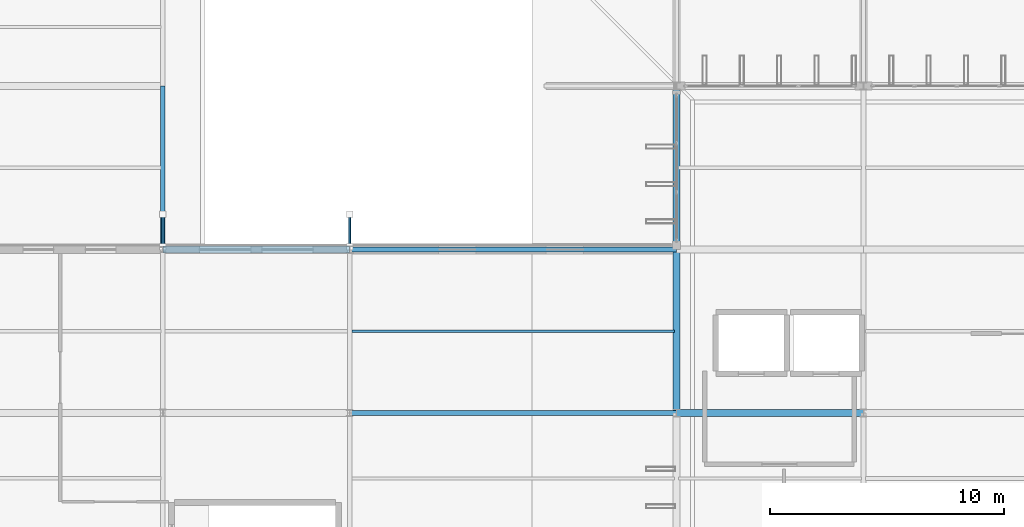
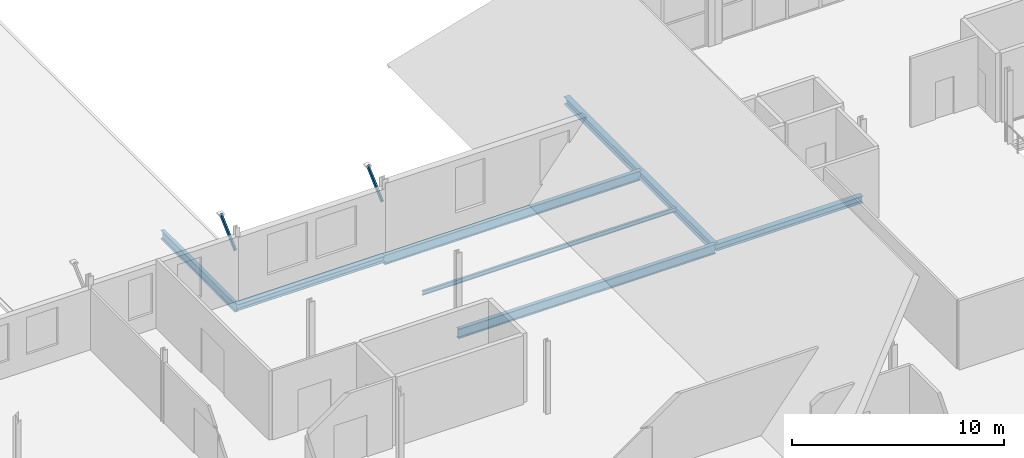
# One storey, part 22 of 93: 7 beams, 2 members.
"""IFC4 building model written with IfcOpenShell, lengths in metres."""

from ifc_helpers import new_model, si_unit, direction, frame, origin, origin_2d, place, context, subcontext, project, spatial, hollow_rectangle, i_section, extrude, material, material_profile, profile_set, type_object, element, save


model = new_model("IFC4")

# Units and contexts
model_context = context("Model", 3, precision=1e-05, world=origin(), true_north=direction((0.0, 1.0)))
body_context = subcontext(model_context, "Body", "Model", "MODEL_VIEW")
ifc_project = project(units=[si_unit("LENGTHUNIT", "METRE"), si_unit("AREAUNIT", "SQUARE_METRE"), si_unit("VOLUMEUNIT", "CUBIC_METRE"), si_unit("PLANEANGLEUNIT", "RADIAN"), si_unit("MASSUNIT", "GRAM", prefix="KILO")], contexts=[model_context])

# Site, building, storey
site_placement = place(None, origin())
site = spatial("IfcSite", under=ifc_project, at=site_placement, CompositionType="ELEMENT")
building_placement = place(site_placement, origin())
building = spatial("IfcBuilding", under=site, at=building_placement, Name="Vekula Escarpment Museum", CompositionType="ELEMENT")
storey_placement = place(building_placement, frame((0.0, 0.0, 22.199951171875)))
storey = spatial("IfcBuildingStorey", under=building, at=storey_placement, Name="L05", CompositionType="ELEMENT", Elevation=22.199951171875)

# Beams
ifc_material_1 = material(Name="Steel S355", Category="steel")
ifc_material_profile_1 = material_profile(ifc_material_1, i_section(OverallWidth=0.300048828125, OverallDepth=0.360107421875, WebThickness=0.012451171875, FlangeThickness=0.0224609375, FilletRadius=0.027099609375, at=origin_2d()), Name="HEB 360")
ifc_profile_set_1 = profile_set([ifc_material_profile_1], Name="Steel S355")
beam_type_1 = type_object("IfcBeamType", Name="BM-GIRD-HEB360", PredefinedType="BEAM", material=ifc_profile_set_1)
beam_1_placement = place(storey_placement, frame((48.0, 83.39990234375, -0.39990234375), z_axis=(1.0, 0.0, 0.0), x_axis=(0.0, 1.0, 0.0)))
element("IfcBeam", 1, at=beam_1_placement, inside=storey, type_object=beam_type_1, Name="Beam X L05 2034", PredefinedType="BEAM", context=body_context, shape_type="SweptSolid", body=[
    extrude(i_section(OverallWidth=0.300048828125, OverallDepth=0.360107421875, WebThickness=0.012451171875, FlangeThickness=0.0224609375, FilletRadius=0.027099609375, at=origin_2d()), origin(), (0.0, 0.0, 1.0), 8.0),
])
ifc_material_2 = material(Name="Steel S355", Category="steel")
ifc_material_profile_2 = material_profile(ifc_material_2, i_section(OverallWidth=0.199951171875, OverallDepth=0.5, WebThickness=0.01025390625, FlangeThickness=0.01611328125, FilletRadius=0.02099609375, at=origin_2d()), Name="IPE 500")
ifc_profile_set_2 = profile_set([ifc_material_profile_2], Name="Steel S355")
beam_type_2 = type_object("IfcBeamType", Name="BM-GIRD-IPE500", PredefinedType="BEAM", material=ifc_profile_set_2)
beam_2_placement = place(storey_placement, frame((48.0, 83.39990234375, -0.469970703125), z_axis=(0.0, 1.0, 0.0), x_axis=(-1.0, 0.0, 0.0)))
element("IfcBeam", 2, at=beam_2_placement, inside=storey, type_object=beam_type_2, Name="Beam Y L05 2108", PredefinedType="BEAM", context=body_context, shape_type="SweptSolid", body=[
    extrude(i_section(OverallWidth=0.199951171875, OverallDepth=0.5, WebThickness=0.01025390625, FlangeThickness=0.01611328125, FilletRadius=0.02099609375, at=origin_2d()), origin(), (0.0, 0.0, 1.0), 7.0),
])
ifc_material_3 = material(Name="Steel S355", Category="steel")
ifc_material_profile_3 = material_profile(ifc_material_3, i_section(OverallWidth=0.2099609375, OverallDepth=0.550048828125, WebThickness=0.010986328125, FlangeThickness=0.01708984375, FilletRadius=0.02392578125, at=origin_2d()), Name="IPE 550")
ifc_profile_set_3 = profile_set([ifc_material_profile_3], Name="Steel S355")
beam_type_3 = type_object("IfcBeamType", Name="BM-GIRD-IPE550", PredefinedType="BEAM", material=ifc_profile_set_3)
for number, where, z_axis, x_axis, name in (
    (3, (56.0, 76.39990234375, -0.494873046875), (1.0, 0.0, 0.0), (0.0, 1.0, 0.0), "Beam X L05 2015"),
    (4, (56.0, 83.39990234375, -0.494873046875), (1.0, 0.0, 0.0), (0.0, 1.0, 0.0), "Beam X L05 2035"),
):
    element("IfcBeam", number, at=place(storey_placement, frame(where, z_axis=z_axis, x_axis=x_axis)), inside=storey, type_object=beam_type_3, Name=name, PredefinedType="BEAM", context=body_context, shape_type="SweptSolid", body=[
        extrude(i_section(OverallWidth=0.2099609375, OverallDepth=0.550048828125, WebThickness=0.010986328125, FlangeThickness=0.01708984375, FilletRadius=0.02392578125, at=origin_2d()), origin(), (0.0, 0.0, 1.0), 14.0),
    ])
ifc_material_4 = material(Name="Steel S355", Category="steel")
ifc_material_profile_4 = material_profile(ifc_material_4, i_section(OverallWidth=0.1201171875, OverallDepth=0.239990234375, WebThickness=0.006103515625, FlangeThickness=0.009765625, FilletRadius=0.014892578125, at=origin_2d()), Name="IPE 240")
ifc_profile_set_4 = profile_set([ifc_material_profile_4], Name="Steel S355")
beam_type_4 = type_object("IfcBeamType", Name="BM-JST-IPE240", PredefinedType="JOIST", material=ifc_profile_set_4)
beam_3_placement = place(storey_placement, frame((56.090087890625, 79.89990234375, -0.33984375), z_axis=(1.0, 0.0, 0.0), x_axis=(0.0, 1.0, 0.0)))
element("IfcBeam", 5, at=beam_3_placement, inside=storey, type_object=beam_type_4, Name="Secondary Joist L05 1339", PredefinedType="JOIST", context=body_context, shape_type="SweptSolid", body=[
    extrude(i_section(OverallWidth=0.1201171875, OverallDepth=0.239990234375, WebThickness=0.006103515625, FlangeThickness=0.009765625, FilletRadius=0.014892578125, at=origin_2d()), origin(), (0.0, 0.0, 1.0), 13.81982421875),
])
ifc_material_5 = material(Name="Steel S355", Category="steel")
ifc_material_profile_5 = material_profile(ifc_material_5, i_section(OverallWidth=0.300048828125, OverallDepth=0.389892578125, WebThickness=0.010986328125, FlangeThickness=0.01904296875, FilletRadius=0.027099609375, at=origin_2d()), Name="HEA 400")
ifc_profile_set_5 = profile_set([ifc_material_profile_5], Name="Steel S355")
beam_type_5 = type_object("IfcBeamType", Name="BM-SPAN-HEA400", PredefinedType="SPANDREL", material=ifc_profile_set_5)
beam_4_placement = place(storey_placement, frame((70.0, 76.39990234375, -0.4150390625), z_axis=(1.0, 0.0, 0.0), x_axis=(0.0, 1.0, 0.0)))
element("IfcBeam", 6, at=beam_4_placement, inside=storey, type_object=beam_type_5, Name="Beam X L05 2016", PredefinedType="SPANDREL", context=body_context, shape_type="SweptSolid", body=[
    extrude(i_section(OverallWidth=0.300048828125, OverallDepth=0.389892578125, WebThickness=0.010986328125, FlangeThickness=0.01904296875, FilletRadius=0.027099609375, at=origin_2d()), origin(), (0.0, 0.0, 1.0), 8.0),
])
ifc_material_6 = material(Name="Steel S355", Category="steel")
ifc_material_profile_6 = material_profile(ifc_material_6, i_section(OverallWidth=0.300048828125, OverallDepth=0.43994140625, WebThickness=0.011474609375, FlangeThickness=0.02099609375, FilletRadius=0.027099609375, at=origin_2d()), Name="HEA 450")
ifc_profile_set_6 = profile_set([ifc_material_profile_6], Name="Steel S355")
beam_type_6 = type_object("IfcBeamType", Name="BM-SPAN-HEA450", PredefinedType="SPANDREL", material=ifc_profile_set_6)
beam_5_placement = place(storey_placement, frame((70.0, 76.39990234375, -0.43994140625), z_axis=(0.0, 1.0, 0.0), x_axis=(-1.0, 0.0, 0.0)))
element("IfcBeam", 7, at=beam_5_placement, inside=storey, type_object=beam_type_6, Name="Beam Y L05 2125", PredefinedType="SPANDREL", context=body_context, shape_type="SweptSolid", body=[
    extrude(i_section(OverallWidth=0.300048828125, OverallDepth=0.43994140625, WebThickness=0.011474609375, FlangeThickness=0.02099609375, FilletRadius=0.027099609375, at=origin_2d()), origin(), (0.0, 0.0, 1.0), 14.0),
])

# Members
ifc_material_7 = material(Name="Steel S355", Category="steel")
ifc_material_profile_7 = material_profile(ifc_material_7, hollow_rectangle(XDim=0.10009765625, YDim=0.199951171875, WallThickness=0.008056640625, InnerFilletRadius=0.008056640625, OuterFilletRadius=0.01611328125, at=origin_2d()), Name="RHS 200x100x8")
ifc_profile_set_7 = profile_set([ifc_material_profile_7], Name="Steel S355")
member_type = type_object("IfcMemberType", Name="MB-SACAK-BRK", PredefinedType="STRUT", material=ifc_profile_set_7)
for number, where, z_axis, x_axis, name in (
    (8, (48.0, 83.52001953125, 2.75), (0.0, 0.738454378718, 0.674303441006), (-1.0, 0.0, 0.0), "Ottoman Sacak Eave Bracket L06-0138"),
    (9, (56.0, 83.52001953125, 2.75), (0.0, 0.738454378718, 0.674303441006), (-1.0, 0.0, 0.0), "Ottoman Sacak Eave Bracket L06-0140"),
):
    element("IfcMember", number, at=place(storey_placement, frame(where, z_axis=z_axis, x_axis=x_axis)), inside=storey, type_object=member_type, Name=name, PredefinedType="STRUT", context=body_context, shape_type="SweptSolid", body=[
        extrude(hollow_rectangle(XDim=0.10009765625, YDim=0.199951171875, WallThickness=0.008056640625, InnerFilletRadius=0.008056640625, OuterFilletRadius=0.01611328125, at=origin_2d()), origin(), (0.0, 0.0, 1.0), 1.86865234375),
    ])

save(model, "model.ifc")
